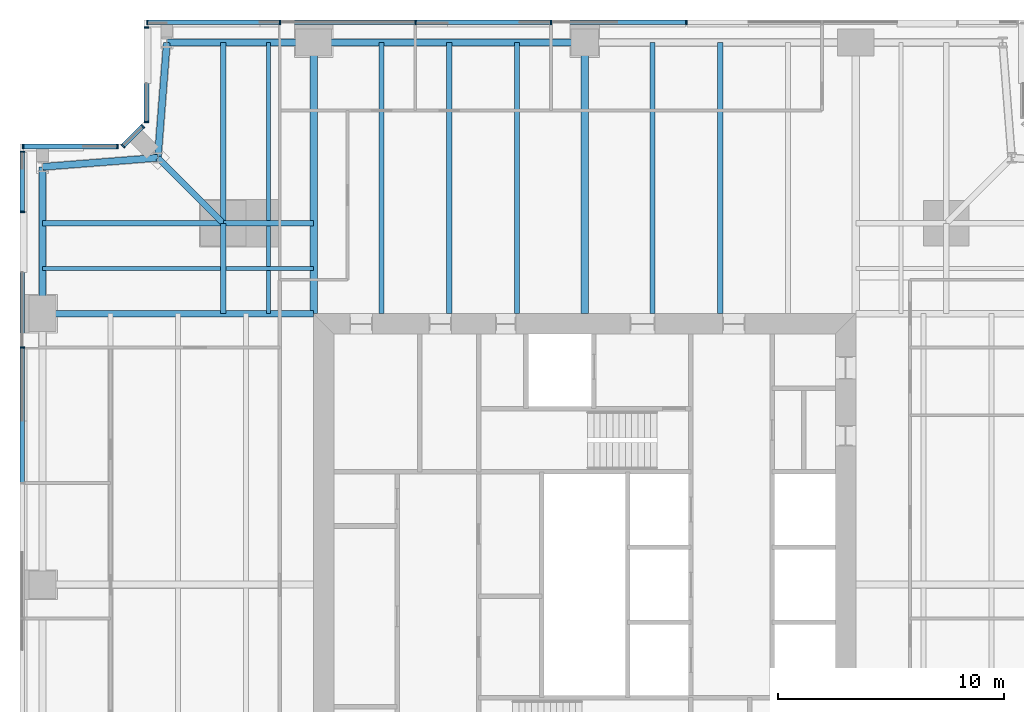
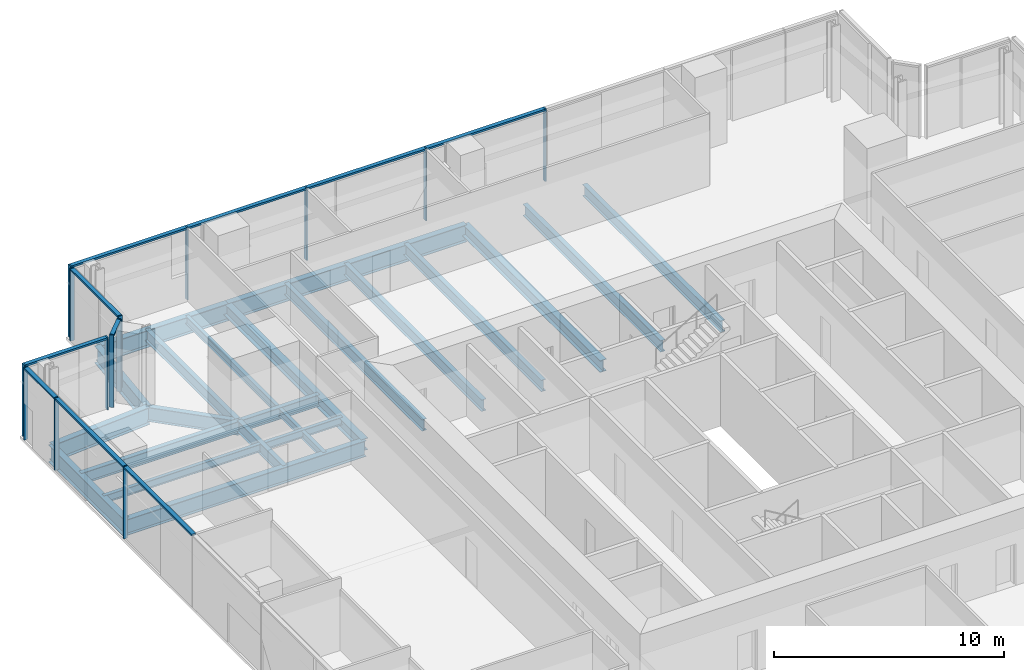
# One storey, part 6 of 16: 24 members, 23 beams, 5 elements without a shape of their own.
"""IFC4 building model written with IfcOpenShell, lengths in metres."""

from ifc_helpers import new_model, si_unit, direction, frame, origin, origin_2d, place, context, subcontext, project, spatial, rectangle, i_section, extrude, material, material_profile, profile_set, type_object, element, aggregate, save


model = new_model("IFC4")

# Units and contexts
model_context = context("Model", 3, precision=1e-05, world=origin(), true_north=direction((0.0, 1.0)))
body_context = subcontext(model_context, "Body", "Model", "MODEL_VIEW")
ifc_project = project(units=[si_unit("LENGTHUNIT", "METRE"), si_unit("AREAUNIT", "SQUARE_METRE"), si_unit("VOLUMEUNIT", "CUBIC_METRE"), si_unit("PLANEANGLEUNIT", "RADIAN"), si_unit("MASSUNIT", "GRAM", prefix="KILO")], contexts=[model_context])

# Site, building, storey
site_placement = place(None, origin())
site = spatial("IfcSite", under=ifc_project, at=site_placement, CompositionType="ELEMENT")
building_placement = place(site_placement, origin())
building = spatial("IfcBuilding", under=site, at=building_placement, Name="Fenwick Lantern Interchange", CompositionType="ELEMENT")
storey_placement = place(building_placement, frame((0.0, 0.0, 177.800048828125)))
storey = spatial("IfcBuildingStorey", under=building, at=storey_placement, Name="L41", CompositionType="ELEMENT", Elevation=177.800048828125)

# Beams
ifc_material_1 = material(Name="Steel ASTM A992 Grade 50", Category="steel")
ifc_material_profile_1 = material_profile(ifc_material_1, i_section(OverallWidth=0.3046875, OverallDepth=0.911865234375, WebThickness=0.015869140625, FlangeThickness=0.02392578125, at=origin_2d()), Name="W36X150")
ifc_profile_set_1 = profile_set([ifc_material_profile_1], Name="Steel ASTM A992 Grade 50")
beam_type_1 = type_object("IfcBeamType", Name="EDGE BEAM W36X150", PredefinedType="SPANDREL", material=ifc_profile_set_1)
beam_1_placement = place(storey_placement, frame((25.0, 49.0, -0.60595703125), z_axis=(-1.0, 0.0, 0.0), x_axis=(0.0, -1.0, 0.0)))
element("IfcBeam", 1, at=beam_1_placement, inside=storey, type_object=beam_type_1, Name="L41/FR/N/EB3", PredefinedType="SPANDREL", context=body_context, shape_type="SweptSolid", body=[
    extrude(i_section(OverallWidth=0.3046875, OverallDepth=0.911865234375, WebThickness=0.015869140625, FlangeThickness=0.02392578125, at=origin_2d()), origin(), (0.0, 0.0, 1.0), 12.0),
])
beam_2_placement = place(storey_placement, frame((13.0, 49.0, -0.60595703125), z_axis=(-1.0, 0.0, 0.0), x_axis=(0.0, -1.0, 0.0)))
element("IfcBeam", 2, at=beam_2_placement, inside=storey, type_object=beam_type_1, Name="L41/FR/N/EB4", PredefinedType="SPANDREL", context=body_context, shape_type="SweptSolid", body=[
    extrude(i_section(OverallWidth=0.3046875, OverallDepth=0.911865234375, WebThickness=0.015869140625, FlangeThickness=0.02392578125, at=origin_2d()), origin(), (0.0, 0.0, 1.0), 6.5),
])
for number, where, z_axis, x_axis, name in (
    (3, (6.5, 49.0, -0.60595703125), (-0.078170784639, -0.99693998236, 0.0), (0.99693998236, -0.078170784639, 0.0), "L41/FR/N/EBR1"),
    (4, (6.10009765625, 43.89990234375, -0.60595703125), (-0.99693998236, -0.078170784639, 0.0), (0.078170784639, -0.99693998236, 0.0), "L41/FR/N/EBR2"),
):
    element("IfcBeam", number, at=place(storey_placement, frame(where, z_axis=z_axis, x_axis=x_axis)), inside=storey, type_object=beam_type_1, Name=name, PredefinedType="SPANDREL", context=body_context, shape_type="SweptSolid", body=[
        extrude(i_section(OverallWidth=0.3046875, OverallDepth=0.911865234375, WebThickness=0.015869140625, FlangeThickness=0.02392578125, at=origin_2d()), origin(), (0.0, 0.0, 1.0), 5.11572265625),
    ])
beam_3_placement = place(storey_placement, frame((1.0, 43.5, -0.60595703125), z_axis=(0.0, -1.0, 0.0), x_axis=(1.0, 0.0, 0.0)))
element("IfcBeam", 5, at=beam_3_placement, inside=storey, type_object=beam_type_1, Name="L41/FR/W/EB1", PredefinedType="SPANDREL", context=body_context, shape_type="SweptSolid", body=[
    extrude(i_section(OverallWidth=0.3046875, OverallDepth=0.911865234375, WebThickness=0.015869140625, FlangeThickness=0.02392578125, at=origin_2d()), origin(), (0.0, 0.0, 1.0), 6.5),
])
ifc_material_profile_2 = material_profile(ifc_material_1, i_section(OverallWidth=0.22900390625, OverallDepth=0.612060546875, WebThickness=0.011962890625, FlangeThickness=0.01953125, at=origin_2d()), Name="W24X84")
ifc_profile_set_2 = profile_set([ifc_material_profile_2], Name="Steel ASTM A992 Grade 50")
beam_type_2 = type_object("IfcBeamType", Name="FLOOR BEAM W24X84", PredefinedType="BEAM", material=ifc_profile_set_2)
for number, where, z_axis, x_axis, name in (
    (6, (31.0, 49.0, -0.4560546875), (0.0, -1.0, 0.0), (1.0, 0.0, 0.0), "L41/FR/N/R03"),
    (7, (28.0, 49.0, -0.4560546875), (0.0, -1.0, 0.0), (1.0, 0.0, 0.0), "L41/FR/N/R04"),
    (8, (22.0, 49.0, -0.4560546875), (0.0, -1.0, 0.0), (1.0, 0.0, 0.0), "L41/FR/N/R06"),
    (9, (19.0, 49.0, -0.4560546875), (0.0, -1.0, 0.0), (1.0, 0.0, 0.0), "L41/FR/N/R07"),
    (10, (16.0, 49.0, -0.4560546875), (0.0, -1.0, 0.0), (1.0, 0.0, 0.0), "L41/FR/N/R08"),
):
    element("IfcBeam", number, at=place(storey_placement, frame(where, z_axis=z_axis, x_axis=x_axis)), inside=storey, type_object=beam_type_2, Name=name, PredefinedType="BEAM", context=body_context, shape_type="SweptSolid", body=[
        extrude(i_section(OverallWidth=0.22900390625, OverallDepth=0.612060546875, WebThickness=0.011962890625, FlangeThickness=0.01953125, at=origin_2d()), origin(), (0.0, 0.0, 1.0), 12.0),
    ])
ifc_material_profile_3 = material_profile(ifc_material_1, i_section(OverallWidth=0.177734375, OverallDepth=0.406494140625, WebThickness=0.0078125, FlangeThickness=0.012939453125, at=origin_2d()), Name="W16X40")
ifc_profile_set_3 = profile_set([ifc_material_profile_3], Name="Steel ASTM A992 Grade 50")
beam_type_3 = type_object("IfcBeamType", Name="INFILL BEAM W16X40", PredefinedType="JOIST", material=ifc_profile_set_3)
beam_4_placement = place(storey_placement, frame((1.0, 39.0, -0.353271484375), z_axis=(1.0, 0.0, 0.0), x_axis=(0.0, 1.0, 0.0)))
element("IfcBeam", 11, at=beam_4_placement, inside=storey, type_object=beam_type_3, Name="L41/FR/W/J1", PredefinedType="JOIST", context=body_context, shape_type="SweptSolid", body=[
    extrude(i_section(OverallWidth=0.177734375, OverallDepth=0.406494140625, WebThickness=0.0078125, FlangeThickness=0.012939453125, at=origin_2d()), origin(), (0.0, 0.0, 1.0), 7.885498046875),
])
beam_5_placement = place(storey_placement, frame((9.114501953125, 39.0, -0.353271484375), z_axis=(1.0, 0.0, 0.0), x_axis=(0.0, 1.0, 0.0)))
element("IfcBeam", 12, at=beam_5_placement, inside=storey, type_object=beam_type_3, Name="L41/FR/W/J2", PredefinedType="JOIST", context=body_context, shape_type="SweptSolid", body=[
    extrude(i_section(OverallWidth=0.177734375, OverallDepth=0.406494140625, WebThickness=0.0078125, FlangeThickness=0.012939453125, at=origin_2d()), origin(), (0.0, 0.0, 1.0), 3.885498046875),
])
beam_6_placement = place(storey_placement, frame((11.0, 49.0, -0.353271484375), z_axis=(0.0, -1.0, 0.0), x_axis=(1.0, 0.0, 0.0)))
element("IfcBeam", 13, at=beam_6_placement, inside=storey, type_object=beam_type_3, Name="L41/FR/W/J3", PredefinedType="JOIST", context=body_context, shape_type="SweptSolid", body=[
    extrude(i_section(OverallWidth=0.177734375, OverallDepth=0.406494140625, WebThickness=0.0078125, FlangeThickness=0.012939453125, at=origin_2d()), origin(), (0.0, 0.0, 1.0), 7.885498046875),
])
beam_7_placement = place(storey_placement, frame((11.0, 40.885498046875, -0.353271484375), z_axis=(0.0, -1.0, 0.0), x_axis=(1.0, 0.0, 0.0)))
element("IfcBeam", 14, at=beam_7_placement, inside=storey, type_object=beam_type_3, Name="L41/FR/W/J4", PredefinedType="JOIST", context=body_context, shape_type="SweptSolid", body=[
    extrude(i_section(OverallWidth=0.177734375, OverallDepth=0.406494140625, WebThickness=0.0078125, FlangeThickness=0.012939453125, at=origin_2d()), origin(), (0.0, 0.0, 1.0), 1.796630859375),
])
beam_8_placement = place(storey_placement, frame((11.0, 38.9111328125, -0.353271484375), z_axis=(0.0, -1.0, 0.0), x_axis=(1.0, 0.0, 0.0)))
element("IfcBeam", 15, at=beam_8_placement, inside=storey, type_object=beam_type_3, Name="L41/FR/W/J5", PredefinedType="JOIST", context=body_context, shape_type="SweptSolid", body=[
    extrude(i_section(OverallWidth=0.177734375, OverallDepth=0.406494140625, WebThickness=0.0078125, FlangeThickness=0.012939453125, at=origin_2d()), origin(), (0.0, 0.0, 1.0), 1.9111328125),
])
ifc_material_profile_4 = material_profile(ifc_material_1, i_section(OverallWidth=0.22900390625, OverallDepth=0.612060546875, WebThickness=0.011962890625, FlangeThickness=0.01953125, at=origin_2d()), Name="W24X84")
ifc_profile_set_4 = profile_set([ifc_material_profile_4], Name="Steel ASTM A992 Grade 50")
beam_type_4 = type_object("IfcBeamType", Name="MEGA COLUMN BEAM W24X84", PredefinedType="BEAM", material=ifc_profile_set_4)
for number, where, z_axis, x_axis, name in (
    (16, (9.0, 41.0, -0.4560546875), (-1.0, 0.0, 0.0), (0.0, -1.0, 0.0), "L41/FR/W/MB1"),
    (17, (9.0, 41.0, -0.4560546875), (0.0, 1.0, 0.0), (-1.0, 0.0, 0.0), "L41/FR/W/MB2"),
):
    element("IfcBeam", number, at=place(storey_placement, frame(where, z_axis=z_axis, x_axis=x_axis)), inside=storey, type_object=beam_type_4, Name=name, PredefinedType="BEAM", context=body_context, shape_type="SweptSolid", body=[
        extrude(i_section(OverallWidth=0.22900390625, OverallDepth=0.612060546875, WebThickness=0.011962890625, FlangeThickness=0.01953125, at=origin_2d()), origin(), (0.0, 0.0, 1.0), 8.0),
    ])
for number, where, z_axis, x_axis, name in (
    (18, (9.0, 41.0, -0.4560546875), (0.0, -1.0, 0.0), (1.0, 0.0, 0.0), "L41/FR/W/MB3"),
    (19, (9.0, 41.0, -0.4560546875), (1.0, 0.0, 0.0), (0.0, 1.0, 0.0), "L41/FR/W/MB4"),
):
    element("IfcBeam", number, at=place(storey_placement, frame(where, z_axis=z_axis, x_axis=x_axis)), inside=storey, type_object=beam_type_4, Name=name, PredefinedType="BEAM", context=body_context, shape_type="SweptSolid", body=[
        extrude(i_section(OverallWidth=0.22900390625, OverallDepth=0.612060546875, WebThickness=0.011962890625, FlangeThickness=0.01953125, at=origin_2d()), origin(), (0.0, 0.0, 1.0), 4.0),
    ])
ifc_material_profile_5 = material_profile(ifc_material_1, i_section(OverallWidth=0.32763671875, OverallDepth=0.622314453125, WebThickness=0.015380859375, FlangeThickness=0.0244140625, at=origin_2d()), Name="W24X131")
ifc_profile_set_5 = profile_set([ifc_material_profile_5], Name="Steel ASTM A992 Grade 50")
beam_type_5 = type_object("IfcBeamType", Name="MOMENT-CONNECTED GIRDER W24X131", PredefinedType="BEAM", material=ifc_profile_set_5)
for number, where, z_axis, x_axis, name in (
    (20, (25.0, 49.0, -0.461181640625), (0.0, -1.0, 0.0), (1.0, 0.0, 0.0), "L41/FR/N/R05"),
    (21, (13.0, 49.0, -0.461181640625), (0.0, -1.0, 0.0), (1.0, 0.0, 0.0), "L41/FR/N/R09"),
):
    element("IfcBeam", number, at=place(storey_placement, frame(where, z_axis=z_axis, x_axis=x_axis)), inside=storey, type_object=beam_type_5, Name=name, PredefinedType="BEAM", context=body_context, shape_type="SweptSolid", body=[
        extrude(i_section(OverallWidth=0.32763671875, OverallDepth=0.622314453125, WebThickness=0.015380859375, FlangeThickness=0.0244140625, at=origin_2d()), origin(), (0.0, 0.0, 1.0), 12.0),
    ])
ifc_material_profile_6 = material_profile(ifc_material_1, i_section(OverallWidth=0.2919921875, OverallDepth=0.845703125, WebThickness=0.015380859375, FlangeThickness=0.0244140625, at=origin_2d()), Name="W33X141")
ifc_profile_set_6 = profile_set([ifc_material_profile_6], Name="Steel ASTM A992 Grade 50")
beam_type_6 = type_object("IfcBeamType", Name="MOMENT-CONNECTED GIRDER W33X141", PredefinedType="BEAM", material=ifc_profile_set_6)
beam_9_placement = place(storey_placement, frame((1.0, 37.0, -0.572998046875), z_axis=(1.0, 0.0, 0.0), x_axis=(0.0, 1.0, 0.0)))
element("IfcBeam", 22, at=beam_9_placement, inside=storey, type_object=beam_type_6, Name="L41/FR/W/R01", PredefinedType="BEAM", context=body_context, shape_type="SweptSolid", body=[
    extrude(i_section(OverallWidth=0.2919921875, OverallDepth=0.845703125, WebThickness=0.015380859375, FlangeThickness=0.0244140625, at=origin_2d()), origin(), (0.0, 0.0, 1.0), 12.0),
])
ifc_material_profile_7 = material_profile(ifc_material_1, i_section(OverallWidth=0.2666015625, OverallDepth=0.7568359375, WebThickness=0.013916015625, FlangeThickness=0.019287109375, at=origin_2d()), Name="W30X108")
ifc_profile_set_7 = profile_set([ifc_material_profile_7], Name="Steel ASTM A992 Grade 50")
beam_type_7 = type_object("IfcBeamType", Name="NOTCH BEAM W30X108", PredefinedType="BEAM", material=ifc_profile_set_7)
beam_10_placement = place(storey_placement, frame((9.0, 41.0, -0.528564453125), z_axis=(-0.707106781187, 0.707106781187, 0.0), x_axis=(-0.707106781187, -0.707106781187, 0.0)))
element("IfcBeam", 23, at=beam_10_placement, inside=storey, type_object=beam_type_7, Name="L41/FR/W/TG", PredefinedType="BEAM", context=body_context, shape_type="SweptSolid", body=[
    extrude(i_section(OverallWidth=0.2666015625, OverallDepth=0.7568359375, WebThickness=0.013916015625, FlangeThickness=0.019287109375, at=origin_2d()), origin(), (0.0, 0.0, 1.0), 4.10107421875),
])

# Curtain wall, members
ifc_material_2 = material(Name="Aluminium curtain wall frame", Category="aluminium")
curtain_wall_type = type_object("IfcCurtainWallType", Name="OFFICE CURTAIN WALL", PredefinedType="USERDEFINED", material=ifc_material_2)
curtain_wall_1_placement = place(storey_placement, origin())
curtain_wall_1 = element("IfcCurtainWall", 24, at=curtain_wall_1_placement, inside=storey, type_object=curtain_wall_type, Name="Office curtain wall 09", ObjectType="OFFICE CURTAIN WALL", PredefinedType="USERDEFINED")
ifc_material_3 = material(Name="Aluminium extrusion", Category="aluminium")
ifc_material_profile_8 = material_profile(ifc_material_3, rectangle(XDim=0.199951171875, YDim=0.06494140625, at=origin_2d()), Name="OFFICE CURTAIN WALL MULLION 65 X 200")
ifc_profile_set_8 = profile_set([ifc_material_profile_8], Name="Aluminium extrusion")
member_type_1 = type_object("IfcMemberType", Name="OFFICE CURTAIN WALL MULLION 65 X 200", PredefinedType="MULLION", material=ifc_profile_set_8)
member_1_placement = place(storey_placement, frame((29.5, 49.89990234375, 0.0), z_axis=(0.0, 0.0, 1.0), x_axis=(0.0, -1.0, 0.0)))
member_1 = element("IfcMember", 25, at=member_1_placement, type_object=member_type_1, Name="L41/CW/09/M03", PredefinedType="MULLION", context=body_context, shape_type="SweptSolid", body=[
    extrude(rectangle(XDim=0.199951171875, YDim=0.06494140625, at=origin_2d()), origin(), (0.0, 0.0, 1.0), 3.849853515625),
])
member_2_placement = place(storey_placement, frame((23.5, 49.89990234375, 0.0), z_axis=(0.0, 0.0, 1.0), x_axis=(0.0, -1.0, 0.0)))
member_2 = element("IfcMember", 26, at=member_2_placement, type_object=member_type_1, Name="L41/CW/09/M04", PredefinedType="MULLION", context=body_context, shape_type="SweptSolid", body=[
    extrude(rectangle(XDim=0.199951171875, YDim=0.06494140625, at=origin_2d()), origin(), (0.0, 0.0, 1.0), 3.849853515625),
])
member_3_placement = place(storey_placement, frame((17.5, 49.89990234375, 0.0), z_axis=(0.0, 0.0, 1.0), x_axis=(0.0, -1.0, 0.0)))
member_3 = element("IfcMember", 27, at=member_3_placement, type_object=member_type_1, Name="L41/CW/09/M05", PredefinedType="MULLION", context=body_context, shape_type="SweptSolid", body=[
    extrude(rectangle(XDim=0.199951171875, YDim=0.06494140625, at=origin_2d()), origin(), (0.0, 0.0, 1.0), 3.849853515625),
])
member_4_placement = place(storey_placement, frame((11.5, 49.89990234375, 0.0), z_axis=(0.0, 0.0, 1.0), x_axis=(0.0, -1.0, 0.0)))
member_4 = element("IfcMember", 28, at=member_4_placement, type_object=member_type_1, Name="L41/CW/09/M06", PredefinedType="MULLION", context=body_context, shape_type="SweptSolid", body=[
    extrude(rectangle(XDim=0.199951171875, YDim=0.06494140625, at=origin_2d()), origin(), (0.0, 0.0, 1.0), 3.849853515625),
])
member_5_placement = place(storey_placement, frame((5.632568359375, 49.89990234375, 0.0), z_axis=(0.0, 0.0, 1.0), x_axis=(0.0, -1.0, 0.0)))
member_5 = element("IfcMember", 29, at=member_5_placement, type_object=member_type_1, Name="L41/CW/09/M07", PredefinedType="MULLION", context=body_context, shape_type="SweptSolid", body=[
    extrude(rectangle(XDim=0.199951171875, YDim=0.06494140625, at=origin_2d()), origin(), (0.0, 0.0, 1.0), 3.849853515625),
])

curtain_wall_2_placement = place(storey_placement, origin())
curtain_wall_2 = element("IfcCurtainWall", 30, at=curtain_wall_2_placement, inside=storey, type_object=curtain_wall_type, Name="Office curtain wall 10", ObjectType="OFFICE CURTAIN WALL", PredefinedType="USERDEFINED")
member_6_placement = place(storey_placement, frame((5.60009765625, 49.66748046875, 0.0), z_axis=(0.0, 0.0, 1.0), x_axis=(1.0, 0.0, 0.0)))
member_6 = element("IfcMember", 31, at=member_6_placement, type_object=member_type_1, Name="L41/CW/10/M00", PredefinedType="MULLION", context=body_context, shape_type="SweptSolid", body=[
    extrude(rectangle(XDim=0.199951171875, YDim=0.06494140625, at=origin_2d()), origin(), (0.0, 0.0, 1.0), 3.849853515625),
])
member_7_placement = place(storey_placement, frame((5.60009765625, 45.490966796875, 0.0), z_axis=(0.0, 0.0, 1.0), x_axis=(1.0, 0.0, 0.0)))
member_7 = element("IfcMember", 32, at=member_7_placement, type_object=member_type_1, Name="L41/CW/10/M01", PredefinedType="MULLION", context=body_context, shape_type="SweptSolid", body=[
    extrude(rectangle(XDim=0.199951171875, YDim=0.06494140625, at=origin_2d()), origin(), (0.0, 0.0, 1.0), 3.849853515625),
])

curtain_wall_3_placement = place(storey_placement, origin())
curtain_wall_3 = element("IfcCurtainWall", 33, at=curtain_wall_3_placement, inside=storey, type_object=curtain_wall_type, Name="Office curtain wall 11", ObjectType="OFFICE CURTAIN WALL", PredefinedType="USERDEFINED")
member_8_placement = place(storey_placement, frame((5.435546875, 45.294189453125, 0.0), z_axis=(0.0, 0.0, 1.0), x_axis=(0.707106781187, -0.707106781187, 0.0)))
member_8 = element("IfcMember", 34, at=member_8_placement, type_object=member_type_1, Name="L41/CW/11/M00", PredefinedType="MULLION", context=body_context, shape_type="SweptSolid", body=[
    extrude(rectangle(XDim=0.199951171875, YDim=0.06494140625, at=origin_2d()), origin(), (0.0, 0.0, 1.0), 3.849853515625),
])
member_9_placement = place(storey_placement, frame((4.564453125, 44.423095703125, 0.0), z_axis=(0.0, 0.0, 1.0), x_axis=(0.707106781187, -0.707106781187, 0.0)))
member_9 = element("IfcMember", 35, at=member_9_placement, type_object=member_type_1, Name="L41/CW/11/M01", PredefinedType="MULLION", context=body_context, shape_type="SweptSolid", body=[
    extrude(rectangle(XDim=0.199951171875, YDim=0.06494140625, at=origin_2d()), origin(), (0.0, 0.0, 1.0), 3.849853515625),
])

curtain_wall_4_placement = place(storey_placement, origin())
curtain_wall_4 = element("IfcCurtainWall", 36, at=curtain_wall_4_placement, inside=storey, type_object=curtain_wall_type, Name="Office curtain wall 12", ObjectType="OFFICE CURTAIN WALL", PredefinedType="USERDEFINED")
member_10_placement = place(storey_placement, frame((4.308837890625, 44.39990234375, 0.0), z_axis=(0.0, 0.0, 1.0), x_axis=(0.0, -1.0, 0.0)))
member_10 = element("IfcMember", 37, at=member_10_placement, type_object=member_type_1, Name="L41/CW/12/M00", PredefinedType="MULLION", context=body_context, shape_type="SweptSolid", body=[
    extrude(rectangle(XDim=0.199951171875, YDim=0.06494140625, at=origin_2d()), origin(), (0.0, 0.0, 1.0), 3.849853515625),
])
member_11_placement = place(storey_placement, frame((0.132568359375, 44.39990234375, 0.0), z_axis=(0.0, 0.0, 1.0), x_axis=(0.0, -1.0, 0.0)))
member_11 = element("IfcMember", 38, at=member_11_placement, type_object=member_type_1, Name="L41/CW/12/M01", PredefinedType="MULLION", context=body_context, shape_type="SweptSolid", body=[
    extrude(rectangle(XDim=0.199951171875, YDim=0.06494140625, at=origin_2d()), origin(), (0.0, 0.0, 1.0), 3.849853515625),
])

curtain_wall_5_placement = place(storey_placement, origin())
curtain_wall_5 = element("IfcCurtainWall", 39, at=curtain_wall_5_placement, inside=storey, type_object=curtain_wall_type, Name="Office curtain wall 13", ObjectType="OFFICE CURTAIN WALL", PredefinedType="USERDEFINED")
member_12_placement = place(storey_placement, frame((0.10009765625, 44.16748046875, 0.0), z_axis=(0.0, 0.0, 1.0), x_axis=(1.0, 0.0, 0.0)))
member_12 = element("IfcMember", 40, at=member_12_placement, type_object=member_type_1, Name="L41/CW/13/M00", PredefinedType="MULLION", context=body_context, shape_type="SweptSolid", body=[
    extrude(rectangle(XDim=0.199951171875, YDim=0.06494140625, at=origin_2d()), origin(), (0.0, 0.0, 1.0), 3.849853515625),
])
member_13_placement = place(storey_placement, frame((0.10009765625, 41.5, 0.0), z_axis=(0.0, 0.0, 1.0), x_axis=(1.0, 0.0, 0.0)))
member_13 = element("IfcMember", 41, at=member_13_placement, type_object=member_type_1, Name="L41/CW/13/M01", PredefinedType="MULLION", context=body_context, shape_type="SweptSolid", body=[
    extrude(rectangle(XDim=0.199951171875, YDim=0.06494140625, at=origin_2d()), origin(), (0.0, 0.0, 1.0), 3.849853515625),
])
member_14_placement = place(storey_placement, frame((0.10009765625, 35.5, 0.0), z_axis=(0.0, 0.0, 1.0), x_axis=(1.0, 0.0, 0.0)))
member_14 = element("IfcMember", 42, at=member_14_placement, type_object=member_type_1, Name="L41/CW/13/M02", PredefinedType="MULLION", context=body_context, shape_type="SweptSolid", body=[
    extrude(rectangle(XDim=0.199951171875, YDim=0.06494140625, at=origin_2d()), origin(), (0.0, 0.0, 1.0), 3.849853515625),
])

# Member
ifc_material_profile_9 = material_profile(ifc_material_3, rectangle(XDim=0.199951171875, YDim=0.10009765625, at=origin_2d()), Name="OFFICE CURTAIN WALL TRANSOM 100 X 200")
ifc_profile_set_9 = profile_set([ifc_material_profile_9], Name="Aluminium extrusion")
member_type_2 = type_object("IfcMemberType", Name="OFFICE CURTAIN WALL TRANSOM 100 X 200", PredefinedType="MULLION", material=ifc_profile_set_9)
member_15_placement = place(storey_placement, frame((29.467529296875, 49.89990234375, 3.800048828125), z_axis=(-1.0, 0.0, 0.0), x_axis=(0.0, -1.0, 0.0)))
member_15 = element("IfcMember", 43, at=member_15_placement, type_object=member_type_2, Name="L41/CW/09/T03", PredefinedType="MULLION", context=body_context, shape_type="SweptSolid", body=[
    extrude(rectangle(XDim=0.199951171875, YDim=0.10009765625, at=origin_2d()), origin(), (0.0, 0.0, 1.0), 5.93505859375),
])

member_16_placement = place(storey_placement, frame((23.467529296875, 49.89990234375, 3.800048828125), z_axis=(-1.0, 0.0, 0.0), x_axis=(0.0, -1.0, 0.0)))
member_16 = element("IfcMember", 44, at=member_16_placement, type_object=member_type_2, Name="L41/CW/09/T04", PredefinedType="MULLION", context=body_context, shape_type="SweptSolid", body=[
    extrude(rectangle(XDim=0.199951171875, YDim=0.10009765625, at=origin_2d()), origin(), (0.0, 0.0, 1.0), 5.93505859375),
])

member_17_placement = place(storey_placement, frame((17.467529296875, 49.89990234375, 3.800048828125), z_axis=(-1.0, 0.0, 0.0), x_axis=(0.0, -1.0, 0.0)))
member_17 = element("IfcMember", 45, at=member_17_placement, type_object=member_type_2, Name="L41/CW/09/T05", PredefinedType="MULLION", context=body_context, shape_type="SweptSolid", body=[
    extrude(rectangle(XDim=0.199951171875, YDim=0.10009765625, at=origin_2d()), origin(), (0.0, 0.0, 1.0), 5.93505859375),
])

member_18_placement = place(storey_placement, frame((11.467529296875, 49.89990234375, 3.800048828125), z_axis=(-1.0, 0.0, 0.0), x_axis=(0.0, -1.0, 0.0)))
member_18 = element("IfcMember", 46, at=member_18_placement, type_object=member_type_2, Name="L41/CW/09/T06", PredefinedType="MULLION", context=body_context, shape_type="SweptSolid", body=[
    extrude(rectangle(XDim=0.199951171875, YDim=0.10009765625, at=origin_2d()), origin(), (0.0, 0.0, 1.0), 5.802490234375),
])

aggregate(curtain_wall_1, [member_1, member_2, member_3, member_4, member_5, member_15, member_16, member_17, member_18])

member_19_placement = place(storey_placement, frame((5.60009765625, 49.635009765625, 3.800048828125), z_axis=(0.0, -1.0, 0.0), x_axis=(1.0, 0.0, 0.0)))
member_19 = element("IfcMember", 47, at=member_19_placement, type_object=member_type_2, Name="L41/CW/10/T00", PredefinedType="MULLION", context=body_context, shape_type="SweptSolid", body=[
    extrude(rectangle(XDim=0.199951171875, YDim=0.10009765625, at=origin_2d()), origin(), (0.0, 0.0, 1.0), 4.111328125),
])

aggregate(curtain_wall_2, [member_6, member_7, member_19])

member_20_placement = place(storey_placement, frame((5.41259765625, 45.271240234375, 3.800048828125), z_axis=(-0.707106781187, -0.707106781187, 0.0), x_axis=(0.707106781187, -0.707106781187, 0.0)))
member_20 = element("IfcMember", 48, at=member_20_placement, type_object=member_type_2, Name="L41/CW/11/T00", PredefinedType="MULLION", context=body_context, shape_type="SweptSolid", body=[
    extrude(rectangle(XDim=0.199951171875, YDim=0.10009765625, at=origin_2d()), origin(), (0.0, 0.0, 1.0), 1.1669921875),
])

aggregate(curtain_wall_3, [member_8, member_9, member_20])

member_21_placement = place(storey_placement, frame((4.2763671875, 44.39990234375, 3.800048828125), z_axis=(-1.0, 0.0, 0.0), x_axis=(0.0, -1.0, 0.0)))
member_21 = element("IfcMember", 49, at=member_21_placement, type_object=member_type_2, Name="L41/CW/12/T00", PredefinedType="MULLION", context=body_context, shape_type="SweptSolid", body=[
    extrude(rectangle(XDim=0.199951171875, YDim=0.10009765625, at=origin_2d()), origin(), (0.0, 0.0, 1.0), 4.111328125),
])

aggregate(curtain_wall_4, [member_10, member_11, member_21])

member_22_placement = place(storey_placement, frame((0.10009765625, 44.135009765625, 3.800048828125), z_axis=(0.0, -1.0, 0.0), x_axis=(1.0, 0.0, 0.0)))
member_22 = element("IfcMember", 50, at=member_22_placement, type_object=member_type_2, Name="L41/CW/13/T00", PredefinedType="MULLION", context=body_context, shape_type="SweptSolid", body=[
    extrude(rectangle(XDim=0.199951171875, YDim=0.10009765625, at=origin_2d()), origin(), (0.0, 0.0, 1.0), 2.6025390625),
])

member_23_placement = place(storey_placement, frame((0.10009765625, 41.467529296875, 3.800048828125), z_axis=(0.0, -1.0, 0.0), x_axis=(1.0, 0.0, 0.0)))
member_23 = element("IfcMember", 51, at=member_23_placement, type_object=member_type_2, Name="L41/CW/13/T01", PredefinedType="MULLION", context=body_context, shape_type="SweptSolid", body=[
    extrude(rectangle(XDim=0.199951171875, YDim=0.10009765625, at=origin_2d()), origin(), (0.0, 0.0, 1.0), 5.93505859375),
])

member_24_placement = place(storey_placement, frame((0.10009765625, 35.467529296875, 3.800048828125), z_axis=(0.0, -1.0, 0.0), x_axis=(1.0, 0.0, 0.0)))
member_24 = element("IfcMember", 52, at=member_24_placement, type_object=member_type_2, Name="L41/CW/13/T02", PredefinedType="MULLION", context=body_context, shape_type="SweptSolid", body=[
    extrude(rectangle(XDim=0.199951171875, YDim=0.10009765625, at=origin_2d()), origin(), (0.0, 0.0, 1.0), 5.93505859375),
])

aggregate(curtain_wall_5, [member_12, member_13, member_14, member_22, member_23, member_24])

save(model, "model.ifc")
